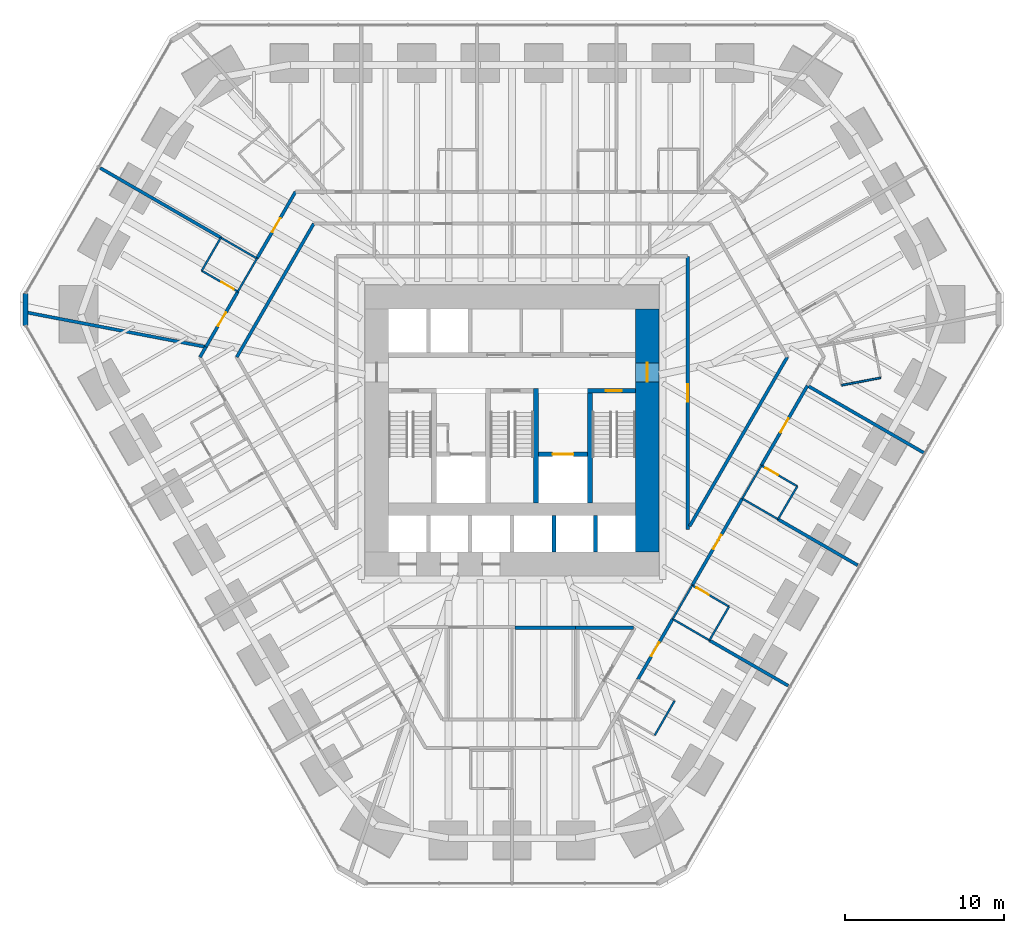
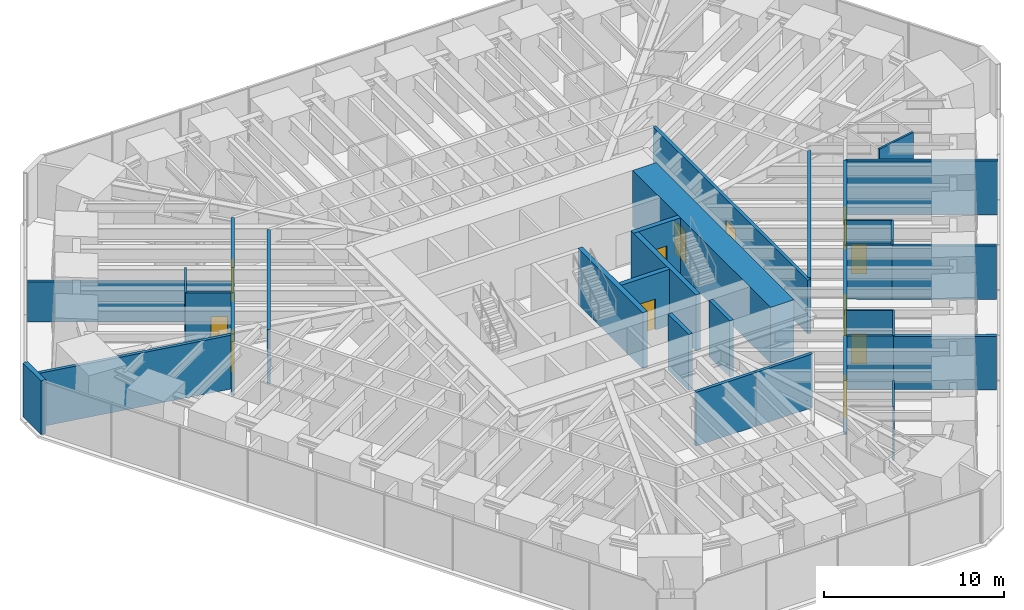
# One storey, part 13 of 17: 38 walls, 12 doors, 12 openings.
"""IFC4 building model written with IfcOpenShell, lengths in metres."""

import ifcopenshell
import ifcopenshell.guid

model = None  # the IFC model being written
_history = None  # IfcOwnerHistory: only IFC2X3 demands one
_inside = {}  # id of a spatial element -> (the spatial element, [elements in it])
_under = {}  # id of a project, library or spatial element -> (it, [spatial elements below it])
_declared = {}  # id of a project -> (the project, [libraries it declares])
_typed = {}  # id of a type object -> (the type object, [elements of that type])
_made_of = {}  # id of a material, layer set ... -> (it, [elements and type objects made of it])


def new_model(schema):
    """Start an empty IFC model of exactly this schema.

    Asked for "IFC4X3", IfcOpenShell would pick the latest addendum, in which some entities
    have other attributes; the version numbers below select the first issue.
    IFC2X3 requires an IfcOwnerHistory on every rooted entity: one is made here for all.
    """
    global model, _history
    if schema == "IFC4X3":
        model = ifcopenshell.file(schema_version=(4, 3, 0, 0))
    else:
        model = ifcopenshell.file(schema=schema)
    _inside.clear()
    _under.clear()
    _declared.clear()
    _typed.clear()
    _made_of.clear()
    _history = None
    if model.schema == "IFC2X3":
        org = make("IfcOrganization", Name="unknown")
        user = make(
            "IfcPersonAndOrganization",
            ThePerson=make("IfcPerson", FamilyName="unknown"),
            TheOrganization=org,
        )
        app = make(
            "IfcApplication",
            ApplicationDeveloper=org,
            Version="unknown",
            ApplicationFullName="unknown",
            ApplicationIdentifier="unknown",
        )
        _history = make(
            "IfcOwnerHistory",
            OwningUser=user,
            OwningApplication=app,
            ChangeAction="ADDED",
            CreationDate=0,
        )
    return model


def make(cls, **values):
    """One entity of the class cls with the attributes given. An attribute that is None is left unset."""
    return model.create_entity(
        cls, **{name: value for name, value in values.items() if value is not None}
    )


def rooted(cls, **values):
    """An entity with a GlobalId (a new one), such as an element, a storey or a relation."""
    return make(cls, GlobalId=ifcopenshell.guid.new(), OwnerHistory=_history, **values)


def si_unit(unit_type, name, prefix=None):
    """IfcSIUnit, for example si_unit("LENGTHUNIT", "METRE", prefix="MILLI")."""
    return make("IfcSIUnit", UnitType=unit_type, Prefix=prefix, Name=name)


def assignment(units):
    """IfcUnitAssignment: the units of a project."""
    return None if units is None else make("IfcUnitAssignment", Units=units)


def point(xyz):
    """IfcCartesianPoint."""
    return None if xyz is None else make("IfcCartesianPoint", Coordinates=xyz)


def direction(xyz):
    """IfcDirection."""
    return None if xyz is None else make("IfcDirection", DirectionRatios=xyz)


def frame(location, z_axis=None, x_axis=None):
    """IfcAxis2Placement3D, a coordinate frame: its origin and axes. An axis left out is left unset."""
    return make(
        "IfcAxis2Placement3D",
        Location=point(location),
        Axis=direction(z_axis),
        RefDirection=direction(x_axis),
    )


def frame_2d(location, x_axis=None):
    """IfcAxis2Placement2D, a coordinate frame in the plane: its origin and x axis."""
    return make(
        "IfcAxis2Placement2D", Location=point(location), RefDirection=direction(x_axis)
    )


def origin():
    """The frame at (0, 0, 0) with its axes left unset."""
    return frame((0.0, 0.0, 0.0))


def place(relative_to, where):
    """IfcLocalPlacement: puts the frame where relative to a parent placement (None: the world)."""
    return make(
        "IfcLocalPlacement", PlacementRelTo=relative_to, RelativePlacement=where
    )


def context(
    kind, dimensions, precision=None, world=None, true_north=None, identifier=None
):
    """IfcGeometricRepresentationContext, for example the 3D "Model" context."""
    return make(
        "IfcGeometricRepresentationContext",
        ContextIdentifier=identifier,
        ContextType=kind,
        CoordinateSpaceDimension=dimensions,
        Precision=precision,
        WorldCoordinateSystem=world,
        TrueNorth=true_north,
    )


def subcontext(parent, identifier, kind, view, scale=None):
    """IfcGeometricRepresentationSubContext, for example "Body" below "Model"."""
    return make(
        "IfcGeometricRepresentationSubContext",
        ContextIdentifier=identifier,
        ContextType=kind,
        ParentContext=parent,
        TargetScale=scale,
        TargetView=view,
    )


def project(units=None, contexts=None):
    """IfcProject with its units and contexts."""
    return rooted(
        "IfcProject",
        Name="project",
        RepresentationContexts=contexts,
        UnitsInContext=assignment(units),
    )


def spatial(cls, under=None, at=None, **own):
    """A site, building, storey or space (cls), placed at a placement, below another one or the project."""
    s = rooted(cls, ObjectPlacement=at, **own)
    if under is not None:
        _under.setdefault(under.id(), (under, []))[1].append(s)
    return s


def profile(cls, at=None, kind="AREA", **sizes):
    """A parametric profile (cls). Its sizes go by their IFC names, for example OverallWidth=200.0."""
    return make(cls, ProfileType=kind, Position=at, **sizes)


def rectangle(**sizes):
    """IfcRectangleProfileDef."""
    return profile("IfcRectangleProfileDef", **sizes)


def extrude(swept, where, along, depth):
    """IfcExtrudedAreaSolid: the profile swept, set in the frame where, extruded along a direction by depth."""
    return make(
        "IfcExtrudedAreaSolid",
        SweptArea=swept,
        Position=where,
        ExtrudedDirection=direction(along),
        Depth=depth,
    )


def shape(context_of_items, identifier, shape_type, items):
    """IfcShapeRepresentation: the items that make up one representation, for example the "Body"."""
    return make(
        "IfcShapeRepresentation",
        ContextOfItems=context_of_items,
        RepresentationIdentifier=identifier,
        RepresentationType=shape_type,
        Items=items,
    )


def material(Name=None, Category=None):
    """IfcMaterial."""
    return make("IfcMaterial", Name=Name, Category=Category)


def layer(
    of_material, thickness, ventilated=None, Name=None, Category=None, Priority=None
):
    """IfcMaterialLayer: one layer of a wall or slab, of a material (None: an air gap)."""
    return make(
        "IfcMaterialLayer",
        Material=of_material,
        LayerThickness=thickness,
        IsVentilated=ventilated,
        Name=Name,
        Category=Category,
        Priority=Priority,
    )


def layer_set(layers, Name=None):
    """IfcMaterialLayerSet."""
    return make("IfcMaterialLayerSet", MaterialLayers=layers, LayerSetName=Name)


def made_of(thing, what):
    """Note that an element or type object is made of a material, layer set ...; save() writes the relation."""
    if what is not None:
        _made_of.setdefault(what.id(), (what, []))[1].append(thing)
    return thing


def type_object(cls, material=None, **own):
    """A type object (cls), such as IfcWallType, which elements share."""
    return made_of(rooted(cls, **own), material)


def element(
    cls,
    number,
    at=None,
    inside=None,
    cuts=None,
    type_object=None,
    material=None,
    context=None,
    identifier="Body",
    shape_type=None,
    held_by="IfcProductDefinitionShape",
    body=None,
    shapes=None,
    **own,
):
    """One element of the class cls, such as IfcWall. Its Tag is "e" and its number.

    at: its placement. inside: the storey or other place that contains it. cuts: it is an
    opening in that element (IfcRelVoidsElement). A single representation is given by context,
    identifier, shape_type and body (its items); several are given by shapes. held_by: the class
    of the entity that holds the representations. save() writes the other relations.
    """
    e = rooted(cls, Tag="e%d" % number, ObjectPlacement=at, **own)
    if body is not None:
        shapes = [shape(context, identifier, shape_type, body)]
    if shapes is not None:
        e.Representation = make(held_by, Representations=shapes)
    if inside is not None:
        _inside.setdefault(inside.id(), (inside, []))[1].append(e)
    if cuts is not None:
        rooted(
            "IfcRelVoidsElement", RelatingBuildingElement=cuts, RelatedOpeningElement=e
        )
    if type_object is not None:
        _typed.setdefault(type_object.id(), (type_object, []))[1].append(e)
    return made_of(e, material)


def fill(opening, filler):
    """IfcRelFillsElement: the door or window that sits in an opening."""
    return rooted(
        "IfcRelFillsElement",
        RelatingOpeningElement=opening,
        RelatedBuildingElement=filler,
    )


def aggregate(whole, parts):
    """IfcRelAggregates: a whole, such as a stair, and the parts it consists of."""
    return rooted("IfcRelAggregates", RelatingObject=whole, RelatedObjects=parts)


def save(model, path):
    """Write the relations noted so far, then the file.

    IfcRelAggregates (storeys below a building ...), IfcRelContainedInSpatialStructure (elements
    in a storey), IfcRelDefinesByType, IfcRelAssociatesMaterial and IfcRelDeclares: one each for
    every whole, place, type object, material and project.
    """
    for whole, parts in _under.values():
        aggregate(whole, parts)
    for where, things in _inside.values():
        rooted(
            "IfcRelContainedInSpatialStructure",
            RelatedElements=things,
            RelatingStructure=where,
        )
    for kind, things in _typed.values():
        rooted("IfcRelDefinesByType", RelatedObjects=things, RelatingType=kind)
    for what, things in _made_of.values():
        rooted("IfcRelAssociatesMaterial", RelatedObjects=things, RelatingMaterial=what)
    for by, libraries in _declared.values():
        rooted("IfcRelDeclares", RelatingContext=by, RelatedDefinitions=libraries)
    model.write(path)


model = new_model("IFC4")

# Units and contexts
model_context = context("Model", 3, precision=1e-05, world=origin(), true_north=direction((0.0, 1.0)))
body_context = subcontext(model_context, "Body", "Model", "MODEL_VIEW")
ifc_project = project(units=[si_unit("LENGTHUNIT", "METRE"), si_unit("AREAUNIT", "SQUARE_METRE"), si_unit("VOLUMEUNIT", "CUBIC_METRE"), si_unit("PLANEANGLEUNIT", "RADIAN"), si_unit("MASSUNIT", "GRAM", prefix="KILO")], contexts=[model_context])

# Site, building, storey
site_placement = place(None, origin())
site = spatial("IfcSite", under=ifc_project, at=site_placement, CompositionType="ELEMENT")
building_placement = place(site_placement, origin())
building = spatial("IfcBuilding", under=site, at=building_placement, Name="Sandreach Pilgrim Tower", CompositionType="ELEMENT")
storey_placement = place(building_placement, frame((0.0, 0.0, 87.60009765625)))
storey = spatial("IfcBuildingStorey", under=building, at=storey_placement, Name="L21", CompositionType="ELEMENT", Elevation=87.60009765625)

# Wall, opening, door
ifc_material_1 = material(Name="Moisture-resistant gypsum board on steel studs", Category="steel")
ifc_layer_1 = layer(ifc_material_1, 0.1201171875)
ifc_layer_set_1 = layer_set([ifc_layer_1], Name="Bathroom partition 120")
wall_type_1 = type_object("IfcWallType", Name="Bathroom partition 120", PredefinedType="PARTITIONING", material=ifc_layer_set_1)
wall_1_placement = place(storey_placement, frame((-19.5, 8.489990234375, 0.0), z_axis=(0.0, 0.0, 1.0), x_axis=(0.866114241029, -0.499846097802, 0.0)))
wall_1 = element("IfcWall", 1, at=wall_1_placement, inside=storey, type_object=wall_type_1, Name="Bathroom partition L21-009", PredefinedType="PARTITIONING", context=body_context, shape_type="SweptSolid", body=[
    extrude(rectangle(XDim=2.620849609375, YDim=0.1201171875, at=frame_2d((1.310546875, 0.0))), origin(), (0.0, 0.0, 1.0), 3.639892578125),
])
opening_1_placement = place(wall_1_placement, frame((1.4208984375, 0.0, 0.0)))
opening_1 = element("IfcOpeningElement", 2, at=opening_1_placement, cuts=wall_1, Name="Opening D09-17B", PredefinedType="OPENING", context=body_context, shape_type="SweptSolid", body=[
    extrude(rectangle(XDim=0.89990234375, YDim=2.030029296875, at=frame_2d((0.449951171875, 1.01513671875))), frame((0.0, 0.06005859375, 0.0), z_axis=(0.0, -1.0, 0.0), x_axis=(1.0, 0.0, 0.0)), (0.0, 0.0, 1.0), 0.1201171875),
])
ifc_material_2 = material(Name="Timber door, steel frame", Category="steel")
door_type_1 = type_object("IfcDoorType", Name="Bathroom door", OperationType="SINGLE_SWING_LEFT", PredefinedType="DOOR", material=ifc_material_2)
door_1_placement = place(opening_1_placement, origin())
door_1 = element("IfcDoor", 3, at=door_1_placement, inside=storey, type_object=door_type_1, Name="Door 2117B", OperationType="SINGLE_SWING_RIGHT", OverallHeight=2.030029296875, OverallWidth=0.89990234375, PredefinedType="DOOR", context=body_context, shape_type="SweptSolid", body=[
    extrude(rectangle(XDim=0.89990234375, YDim=2.030029296875, at=frame_2d((0.449951171875, 1.01513671875))), frame((0.0, 0.02490234375, 0.0), z_axis=(0.0, -1.0, 0.0), x_axis=(1.0, 0.0, 0.0)), (0.0, 0.0, 1.0), 0.050048828125),
])
fill(opening_1, door_1)

# Walls
wall_2_placement = place(storey_placement, frame((-18.300048828125, 10.570068359375, 0.0), z_axis=(0.0, 0.0, 1.0), x_axis=(-0.499693115345, -0.866202511239, 0.0)))
element("IfcWall", 4, at=wall_2_placement, inside=storey, type_object=wall_type_1, Name="Bathroom partition L21-013", PredefinedType="PARTITIONING", context=body_context, shape_type="SweptSolid", body=[
    extrude(rectangle(XDim=2.4013671875, YDim=0.1201171875, at=frame_2d((1.20068359375, 0.0))), origin(), (0.0, 0.0, 1.0), 3.639892578125),
])
wall_3_placement = place(storey_placement, frame((-18.300048828125, 10.570068359375, 0.0), z_axis=(0.0, 0.0, 1.0), x_axis=(0.866114241029, -0.499846097802, 0.0)))
element("IfcWall", 5, at=wall_3_placement, inside=storey, type_object=wall_type_1, Name="Bathroom partition L21-014", PredefinedType="PARTITIONING", context=body_context, shape_type="SweptSolid", body=[
    extrude(rectangle(XDim=2.620849609375, YDim=0.1201171875, at=frame_2d((1.310546875, 0.0))), origin(), (0.0, 0.0, 1.0), 2.712890625),
])
wall_4_placement = place(storey_placement, frame((-17.22998046875, 7.179931640625, 0.0), z_axis=(0.0, 0.0, 1.0), x_axis=(0.500009943768, 0.866019662671, 0.0)))
element("IfcWall", 6, at=wall_4_placement, inside=storey, type_object=wall_type_1, Name="Bathroom partition L21-018", PredefinedType="PARTITIONING", context=body_context, shape_type="SweptSolid", body=[
    extrude(rectangle(XDim=2.4013671875, YDim=0.1201171875, at=frame_2d((1.20068359375, 0.0))), origin(), (0.0, 0.0, 1.0), 3.639892578125),
])
wall_5_placement = place(storey_placement, frame((8.969970703125, -20.7099609375, 0.0), z_axis=(0.0, 0.0, 1.0), x_axis=(0.499159685399, 0.866510016372, 0.0)))
element("IfcWall", 7, at=wall_5_placement, inside=storey, type_object=wall_type_1, Name="Bathroom partition L21-105", PredefinedType="PARTITIONING", context=body_context, shape_type="SweptSolid", body=[
    extrude(rectangle(XDim=2.504150390625, YDim=0.1201171875, at=frame_2d((1.251953125, 0.0))), origin(), (0.0, 0.0, 1.0), 3.639892578125),
])
wall_6_placement = place(storey_placement, frame((10.10009765625, -13.39990234375, 0.0), z_axis=(0.0, 0.0, 1.0), x_axis=(0.501856726365, 0.86495076519, 0.0)))
element("IfcWall", 8, at=wall_6_placement, inside=storey, type_object=wall_type_1, Name="Bathroom partition L21-108", PredefinedType="PARTITIONING", context=body_context, shape_type="SweptSolid", body=[
    extrude(rectangle(XDim=2.450927734375, YDim=0.1201171875, at=frame_2d((1.2255859375, 0.0))), origin(), (0.0, 0.0, 1.0), 3.639892578125),
])
wall_7_placement = place(storey_placement, frame((10.10009765625, -13.39990234375, 0.0), z_axis=(0.0, 0.0, 1.0), x_axis=(0.864966903181, -0.501828911485, 0.0)))
element("IfcWall", 9, at=wall_7_placement, inside=storey, type_object=wall_type_1, Name="Bathroom partition L21-109", PredefinedType="PARTITIONING", context=body_context, shape_type="SweptSolid", body=[
    extrude(rectangle(XDim=2.67041015625, YDim=0.1201171875, at=frame_2d((1.335205078125, 0.0))), origin(), (0.0, 0.0, 1.0), 3.639892578125),
])
wall_8_placement = place(storey_placement, frame((12.409912109375, -14.739990234375, 0.0), z_axis=(0.0, 0.0, 1.0), x_axis=(0.501813488763, 0.864975850817, 0.0)))
element("IfcWall", 10, at=wall_8_placement, inside=storey, type_object=wall_type_1, Name="Bathroom partition L21-118", PredefinedType="PARTITIONING", context=body_context, shape_type="SweptSolid", body=[
    extrude(rectangle(XDim=2.451171875, YDim=0.1201171875, at=frame_2d((1.2255859375, 0.0))), origin(), (0.0, 0.0, 1.0), 3.639892578125),
])

# Wall, opening, door
wall_9_placement = place(storey_placement, frame((13.639892578125, -12.6201171875, 0.0), z_axis=(0.0, 0.0, 1.0), x_axis=(-0.864966903181, 0.501828911485, 0.0)))
wall_9 = element("IfcWall", 11, at=wall_9_placement, inside=storey, type_object=wall_type_1, Name="Bathroom partition L21-123", PredefinedType="PARTITIONING", context=body_context, shape_type="SweptSolid", body=[
    extrude(rectangle(XDim=2.67041015625, YDim=0.1201171875, at=frame_2d((1.335205078125, 0.0))), origin(), (0.0, 0.0, 1.0), 3.639892578125),
])
opening_2_placement = place(wall_9_placement, frame((1.470458984375, 0.0, 0.0)))
opening_2 = element("IfcOpeningElement", 12, at=opening_2_placement, cuts=wall_9, Name="Opening D09-09B", PredefinedType="OPENING", context=body_context, shape_type="SweptSolid", body=[
    extrude(rectangle(XDim=0.89990234375, YDim=2.030029296875, at=frame_2d((0.449951171875, 1.01513671875))), frame((0.0, 0.06005859375, 0.0), z_axis=(0.0, -1.0, 0.0), x_axis=(1.0, 0.0, 0.0)), (0.0, 0.0, 1.0), 0.1201171875),
])
door_2_placement = place(opening_2_placement, origin())
door_2 = element("IfcDoor", 13, at=door_2_placement, inside=storey, type_object=door_type_1, Name="Door 2109B", OperationType="SINGLE_SWING_RIGHT", OverallHeight=2.030029296875, OverallWidth=0.89990234375, PredefinedType="DOOR", context=body_context, shape_type="SweptSolid", body=[
    extrude(rectangle(XDim=0.89990234375, YDim=2.030029296875, at=frame_2d((0.449951171875, 1.01513671875))), frame((0.0, 0.02490234375, 0.0), z_axis=(0.0, -1.0, 0.0), x_axis=(1.0, 0.0, 0.0)), (0.0, 0.0, 1.0), 0.050048828125),
])
fill(opening_2, door_2)

# Walls
wall_10_placement = place(storey_placement, frame((14.469970703125, -5.830078125, 0.0), z_axis=(0.0, 0.0, 1.0), x_axis=(0.865856933682, -0.500291685314, 0.0)))
element("IfcWall", 14, at=wall_10_placement, inside=storey, type_object=wall_type_1, Name="Bathroom partition L21-126", PredefinedType="PARTITIONING", context=body_context, shape_type="SweptSolid", body=[
    extrude(rectangle(XDim=2.5986328125, YDim=0.1201171875, at=frame_2d((1.29931640625, 0.0))), origin(), (0.0, 0.0, 1.0), 3.639892578125),
])
wall_11_placement = place(storey_placement, frame((15.679931640625, -3.75, 0.0), z_axis=(0.0, 0.0, 1.0), x_axis=(-0.502810888564, -0.864396442809, 0.0)))
element("IfcWall", 15, at=wall_11_placement, inside=storey, type_object=wall_type_1, Name="Bathroom partition L21-129", PredefinedType="PARTITIONING", context=body_context, shape_type="SweptSolid", body=[
    extrude(rectangle(XDim=2.406494140625, YDim=0.1201171875, at=frame_2d((1.203125, 0.0))), origin(), (0.0, 0.0, 1.0), 3.639892578125),
])
wall_12_placement = place(storey_placement, frame((16.719970703125, -7.1298828125, 0.0), z_axis=(0.0, 0.0, 1.0), x_axis=(0.504668565454, 0.863313175529, 0.0)))
element("IfcWall", 16, at=wall_12_placement, inside=storey, type_object=wall_type_1, Name="Bathroom partition L21-132", PredefinedType="PARTITIONING", context=body_context, shape_type="SweptSolid", body=[
    extrude(rectangle(XDim=2.3974609375, YDim=0.1201171875, at=frame_2d((1.19873046875, 0.0))), origin(), (0.0, 0.0, 1.0), 3.639892578125),
])

# Wall, opening, door
wall_13_placement = place(storey_placement, frame((17.929931640625, -5.06005859375, 0.0), z_axis=(0.0, 0.0, 1.0), x_axis=(-0.864186736834, 0.503171227198, 0.0)))
wall_13 = element("IfcWall", 17, at=wall_13_placement, inside=storey, type_object=wall_type_1, Name="Bathroom partition L21-136", PredefinedType="PARTITIONING", context=body_context, shape_type="SweptSolid", body=[
    extrude(rectangle(XDim=2.603515625, YDim=0.1201171875, at=frame_2d((1.3017578125, 0.0))), origin(), (0.0, 0.0, 1.0), 3.639892578125),
])
opening_3_placement = place(wall_13_placement, frame((1.403564453125, 0.0, 0.0)))
opening_3 = element("IfcOpeningElement", 18, at=opening_3_placement, cuts=wall_13, Name="Opening D09-08B", PredefinedType="OPENING", context=body_context, shape_type="SweptSolid", body=[
    extrude(rectangle(XDim=0.89990234375, YDim=2.030029296875, at=frame_2d((0.449951171875, 1.01513671875))), frame((0.0, 0.06005859375, 0.0), z_axis=(0.0, -1.0, 0.0), x_axis=(1.0, 0.0, 0.0)), (0.0, 0.0, 1.0), 0.1201171875),
])
door_3_placement = place(opening_3_placement, origin())
door_3 = element("IfcDoor", 19, at=door_3_placement, inside=storey, type_object=door_type_1, Name="Door 2108B", OperationType="SINGLE_SWING_RIGHT", OverallHeight=2.030029296875, OverallWidth=0.89990234375, PredefinedType="DOOR", context=body_context, shape_type="SweptSolid", body=[
    extrude(rectangle(XDim=0.89990234375, YDim=2.030029296875, at=frame_2d((0.449951171875, 1.01513671875))), frame((0.0, 0.02490234375, 0.0), z_axis=(0.0, -1.0, 0.0), x_axis=(1.0, 0.0, 0.0)), (0.0, 0.0, 1.0), 0.050048828125),
])
fill(opening_3, door_3)

# Walls
wall_14_placement = place(storey_placement, frame((20.719970703125, 1.2900390625, 0.0), z_axis=(0.0, 0.0, 1.0), x_axis=(0.9820935986, 0.188393639991, 0.0)))
element("IfcWall", 20, at=wall_14_placement, inside=storey, type_object=wall_type_1, Name="Bathroom partition L21-145", PredefinedType="PARTITIONING", context=body_context, shape_type="SweptSolid", body=[
    extrude(rectangle(XDim=2.49462890625, YDim=0.1201171875, at=frame_2d((1.247314453125, 0.0))), origin(), (0.0, 0.0, 1.0), 3.639892578125),
])
ifc_material_3 = material(Name="Concrete 10000 psi", Category="concrete")
ifc_layer_2 = layer(ifc_material_3, 0.300048828125)
ifc_layer_set_2 = layer_set([ifc_layer_2], Name="Core inner wall 300")
wall_type_2 = type_object("IfcWallType", Name="Core inner wall 300", PredefinedType="SHEAR", material=ifc_layer_set_2)
for number, where, z_axis, x_axis, name in (
    (21, (1.5, -6.10009765625, 0.0), (0.0, 0.0, 1.0), (0.0, 1.0, 0.0), "Core wall I2 L21"),
    (22, (4.89990234375, -6.10009765625, 0.0), (0.0, 0.0, 1.0), (0.0, 1.0, 0.0), "Core wall I3 L21"),
):
    element("IfcWall", number, at=place(storey_placement, frame(where, z_axis=z_axis, x_axis=x_axis)), inside=storey, type_object=wall_type_2, Name=name, PredefinedType="SHEAR", context=body_context, shape_type="SweptSolid", body=[
        extrude(rectangle(XDim=7.2001953125, YDim=0.300048828125, at=frame_2d((3.60009765625, 0.0))), origin(), (0.0, 0.0, 1.0), 3.7998046875),
    ])

# Wall, opening, door
wall_15_placement = place(storey_placement, frame((4.75, 0.949951171875, 0.0), z_axis=(0.0, 0.0, 1.0), x_axis=(1.0, 0.0, 0.0)))
wall_15 = element("IfcWall", 23, at=wall_15_placement, inside=storey, type_object=wall_type_2, Name="Core wall SN2 L21", PredefinedType="SHEAR", context=body_context, shape_type="SweptSolid", body=[
    extrude(rectangle(XDim=3.0, YDim=0.300048828125, at=frame_2d((1.5, 0.0))), origin(), (0.0, 0.0, 1.0), 3.7998046875),
])
opening_4_placement = place(wall_15_placement, frame((1.14990234375, 0.0, 0.0)))
opening_4 = element("IfcOpeningElement", 24, at=opening_4_placement, cuts=wall_15, Name="Opening D10S-ST2", PredefinedType="OPENING", context=body_context, shape_type="SweptSolid", body=[
    extrude(rectangle(XDim=1.0, YDim=2.199951171875, at=frame_2d((0.5, 1.10009765625))), frame((0.0, 0.14990234375, 0.0), z_axis=(0.0, -1.0, 0.0), x_axis=(1.0, 0.0, 0.0)), (0.0, 0.0, 1.0), 0.300048828125),
])
ifc_material_4 = material(Name="Steel door and frame", Category="steel")
door_type_2 = type_object("IfcDoorType", Name="Stair door", OperationType="SINGLE_SWING_LEFT", PredefinedType="DOOR", material=ifc_material_4)
door_4_placement = place(opening_4_placement, origin())
door_4 = element("IfcDoor", 25, at=door_4_placement, inside=storey, type_object=door_type_2, Name="Stair door ST2 L21", OperationType="SINGLE_SWING_RIGHT", OverallHeight=2.199951171875, OverallWidth=1.0, PredefinedType="DOOR", context=body_context, shape_type="SweptSolid", body=[
    extrude(rectangle(XDim=1.0, YDim=2.199951171875, at=frame_2d((0.5, 1.10009765625))), frame((0.0, 0.02490234375, 0.0), z_axis=(0.0, -1.0, 0.0), x_axis=(1.0, 0.0, 0.0)), (0.0, 0.0, 1.0), 0.050048828125),
])
fill(opening_4, door_4)

wall_16_placement = place(storey_placement, frame((1.64990234375, -3.050048828125, 0.0), z_axis=(0.0, 0.0, 1.0), x_axis=(1.0, 0.0, 0.0)))
wall_16 = element("IfcWall", 26, at=wall_16_placement, inside=storey, type_object=wall_type_2, Name="Core wall FL2 L21", PredefinedType="SHEAR", context=body_context, shape_type="SweptSolid", body=[
    extrude(rectangle(XDim=3.10009765625, YDim=0.300048828125, at=frame_2d((1.550048828125, 0.0))), origin(), (0.0, 0.0, 1.0), 3.7998046875),
])
opening_5_placement = place(wall_16_placement, frame((0.89990234375, 0.0, 0.0)))
opening_5 = element("IfcOpeningElement", 27, at=opening_5_placement, cuts=wall_16, Name="Opening LD13", PredefinedType="OPENING", context=body_context, shape_type="SweptSolid", body=[
    extrude(rectangle(XDim=1.300048828125, YDim=2.10009765625, at=frame_2d((0.64990234375, 1.050048828125))), frame((0.0, 0.14990234375, 0.0), z_axis=(0.0, -1.0, 0.0), x_axis=(1.0, 0.0, 0.0)), (0.0, 0.0, 1.0), 0.300048828125),
])
ifc_material_5 = material(Name="Steel door and frame", Category="steel")
door_type_3 = type_object("IfcDoorType", Name="Fire service lift landing door", OperationType="DOUBLE_DOOR_SLIDING", PredefinedType="DOOR", material=ifc_material_5)
door_5_placement = place(opening_5_placement, origin())
door_5 = element("IfcDoor", 28, at=door_5_placement, inside=storey, type_object=door_type_3, Name="Lift landing door FS2 L21", OperationType="DOUBLE_DOOR_SLIDING", OverallHeight=2.10009765625, OverallWidth=1.300048828125, PredefinedType="DOOR", context=body_context, shape_type="SweptSolid", body=[
    extrude(rectangle(XDim=1.300048828125, YDim=2.10009765625, at=frame_2d((0.64990234375, 1.050048828125))), frame((0.0, 0.02490234375, 0.0), z_axis=(0.0, -1.0, 0.0), x_axis=(1.0, 0.0, 0.0)), (0.0, 0.0, 1.0), 0.050048828125),
])
fill(opening_5, door_5)

ifc_material_6 = material(Name="Concrete 10000 psi", Category="concrete")
ifc_layer_3 = layer(ifc_material_6, 1.5)
ifc_layer_set_3 = layer_set([ifc_layer_3], Name="Core wall 1500")
wall_type_3 = type_object("IfcWallType", Name="Core wall 1500", PredefinedType="SHEAR", material=ifc_layer_set_3)
wall_17_placement = place(storey_placement, frame((8.5, -9.199951171875, 0.0), z_axis=(0.0, 0.0, 1.0), x_axis=(0.0, 1.0, 0.0)))
wall_17 = element("IfcWall", 29, at=wall_17_placement, inside=storey, type_object=wall_type_3, Name="Core wall E L21", PredefinedType="SHEAR", context=body_context, shape_type="SweptSolid", body=[
    extrude(rectangle(XDim=15.300048828125, YDim=1.5, at=frame_2d((7.64990234375, 0.0))), origin(), (0.0, 0.0, 1.0), 3.7998046875),
])
opening_6_placement = place(wall_17_placement, frame((10.699951171875, 0.0, 0.0)))
opening_6 = element("IfcOpeningElement", 30, at=opening_6_placement, cuts=wall_17, Name="Opening D12F-E", PredefinedType="OPENING", context=body_context, shape_type="SweptSolid", body=[
    extrude(rectangle(XDim=1.199951171875, YDim=2.199951171875, at=frame_2d((0.60009765625, 1.10009765625))), frame((0.0, 0.75, 0.0), z_axis=(0.0, -1.0, 0.0), x_axis=(1.0, 0.0, 0.0)), (0.0, 0.0, 1.0), 1.5),
])
ifc_material_7 = material(Name="Steel door and frame", Category="steel")
door_type_4 = type_object("IfcDoorType", Name="Fire lobby door", OperationType="SINGLE_SWING_LEFT", PredefinedType="DOOR", material=ifc_material_7)
door_6_placement = place(opening_6_placement, origin())
door_6 = element("IfcDoor", 31, at=door_6_placement, inside=storey, type_object=door_type_4, Name="Fire service lobby door E L21", OperationType="SINGLE_SWING_RIGHT", OverallHeight=2.199951171875, OverallWidth=1.199951171875, PredefinedType="DOOR", context=body_context, shape_type="SweptSolid", body=[
    extrude(rectangle(XDim=1.199951171875, YDim=2.199951171875, at=frame_2d((0.60009765625, 1.10009765625))), frame((0.0, 0.02490234375, 0.0), z_axis=(0.0, -1.0, 0.0), x_axis=(1.0, 0.0, 0.0)), (0.0, 0.0, 1.0), 0.050048828125),
])
fill(opening_6, door_6)

# Wall
ifc_material_8 = material(Name="Gypsum board on steel studs, two layers each side", Category="steel")
ifc_layer_4 = layer(ifc_material_8, 0.199951171875)
ifc_layer_set_4 = layer_set([ifc_layer_4], Name="Corridor wall 200")
wall_type_4 = type_object("IfcWallType", Name="Corridor wall 200", PredefinedType="PARTITIONING", material=ifc_layer_set_4)
wall_18_placement = place(storey_placement, frame((-19.610107421875, 3.06005859375, 0.0), z_axis=(0.0, 0.0, 1.0), x_axis=(0.50068472101, 0.865629718844, 0.0)))
element("IfcWall", 32, at=wall_18_placement, inside=storey, type_object=wall_type_4, Name="Corridor wall L21-006", PredefinedType="PARTITIONING", context=body_context, shape_type="SweptSolid", body=[
    extrude(rectangle(XDim=0.7392578125, YDim=0.199951171875, at=frame_2d((0.36962890625, 0.0))), origin(), (0.0, 0.0, 1.0), 3.639892578125),
])

# Wall, opening, door
wall_19_placement = place(storey_placement, frame((-19.239990234375, 3.699951171875, 0.0), z_axis=(0.0, 0.0, 1.0), x_axis=(0.500157149565, 0.865934654428, 0.0)))
wall_19 = element("IfcWall", 33, at=wall_19_placement, inside=storey, type_object=wall_type_4, Name="Corridor wall L21-010", PredefinedType="PARTITIONING", context=body_context, shape_type="SweptSolid", body=[
    extrude(rectangle(XDim=4.018798828125, YDim=0.199951171875, at=frame_2d((2.00927734375, 0.0))), origin(), (0.0, 0.0, 1.0), 3.639892578125),
])
opening_7_placement = place(wall_19_placement, frame((1.509521484375, 0.0, 0.0)))
opening_7 = element("IfcOpeningElement", 34, at=opening_7_placement, cuts=wall_19, Name="Opening D10-17", PredefinedType="OPENING", context=body_context, shape_type="SweptSolid", body=[
    extrude(rectangle(XDim=1.0, YDim=2.1298828125, at=frame_2d((0.5, 1.06494140625))), frame((0.0, 0.10009765625, 0.0), z_axis=(0.0, -1.0, 0.0), x_axis=(1.0, 0.0, 0.0)), (0.0, 0.0, 1.0), 0.199951171875),
])
ifc_material_9 = material(Name="Steel door and frame", Category="steel")
door_type_5 = type_object("IfcDoorType", Name="Guest room entry door", OperationType="SINGLE_SWING_LEFT", PredefinedType="DOOR", material=ifc_material_9)
door_7_placement = place(opening_7_placement, origin())
door_7 = element("IfcDoor", 35, at=door_7_placement, inside=storey, type_object=door_type_5, Name="Door 2117", OperationType="SINGLE_SWING_LEFT", OverallHeight=2.1298828125, OverallWidth=1.0, PredefinedType="DOOR", context=body_context, shape_type="SweptSolid", body=[
    extrude(rectangle(XDim=1.0, YDim=2.1298828125, at=frame_2d((0.5, 1.06494140625))), frame((0.0, 0.02490234375, 0.0), z_axis=(0.0, -1.0, 0.0), x_axis=(1.0, 0.0, 0.0)), (0.0, 0.0, 1.0), 0.050048828125),
])
fill(opening_7, door_7)

# Wall
wall_20_placement = place(storey_placement, frame((-17.300048828125, 3.06005859375, 0.0), z_axis=(0.0, 0.0, 1.0), x_axis=(0.499704269421, 0.866196076603, 0.0)))
element("IfcWall", 36, at=wall_20_placement, inside=storey, type_object=wall_type_4, Name="Corridor wall L21-017", PredefinedType="PARTITIONING", context=body_context, shape_type="SweptSolid", body=[
    extrude(rectangle(XDim=9.685791015625, YDim=0.199951171875, at=frame_2d((4.8427734375, 0.0))), origin(), (0.0, 0.0, 1.0), 3.639892578125),
])

# Wall, opening, door
wall_21_placement = place(storey_placement, frame((-16.029296875, 9.259521484375, 0.0), z_axis=(0.0, 0.0, 1.0), x_axis=(0.499975779801, 0.866039386871, 0.0)))
wall_21 = element("IfcWall", 37, at=wall_21_placement, inside=storey, type_object=wall_type_4, Name="Corridor wall L21-023", PredefinedType="PARTITIONING", context=body_context, shape_type="SweptSolid", body=[
    extrude(rectangle(XDim=4.838623046875, YDim=0.199951171875, at=frame_2d((2.41943359375, 0.0))), origin(), (0.0, 0.0, 1.0), 3.639892578125),
])
opening_8_placement = place(wall_21_placement, frame((1.919189453125, 0.0, 0.0)))
opening_8 = element("IfcOpeningElement", 38, at=opening_8_placement, cuts=wall_21, Name="Opening D10-18", PredefinedType="OPENING", context=body_context, shape_type="SweptSolid", body=[
    extrude(rectangle(XDim=1.0, YDim=2.1298828125, at=frame_2d((0.5, 1.06494140625))), frame((0.0, 0.10009765625, 0.0), z_axis=(0.0, -1.0, 0.0), x_axis=(1.0, 0.0, 0.0)), (0.0, 0.0, 1.0), 0.199951171875),
])
door_8_placement = place(opening_8_placement, origin())
door_8 = element("IfcDoor", 39, at=door_8_placement, inside=storey, type_object=door_type_5, Name="Door 2118", OperationType="SINGLE_SWING_LEFT", OverallHeight=2.1298828125, OverallWidth=1.0, PredefinedType="DOOR", context=body_context, shape_type="SweptSolid", body=[
    extrude(rectangle(XDim=1.0, YDim=2.1298828125, at=frame_2d((0.5, 1.06494140625))), frame((0.0, 0.02490234375, 0.0), z_axis=(0.0, -1.0, 0.0), x_axis=(1.0, 0.0, 0.0)), (0.0, 0.0, 1.0), 0.050048828125),
])
fill(opening_8, door_8)

# Walls
wall_22_placement = place(storey_placement, frame((0.179931640625, -13.949951171875, 0.0), z_axis=(0.0, 0.0, 1.0), x_axis=(1.0, 0.0, 0.0)))
element("IfcWall", 40, at=wall_22_placement, inside=storey, type_object=wall_type_4, Name="Corridor wall L21-079", PredefinedType="PARTITIONING", context=body_context, shape_type="SweptSolid", body=[
    extrude(rectangle(XDim=3.820068359375, YDim=0.199951171875, at=frame_2d((1.91015625, 0.0))), origin(), (0.0, 0.0, 1.0), 3.639892578125),
])
wall_23_placement = place(storey_placement, frame((4.0, -13.949951171875, 0.0), z_axis=(0.0, 0.0, 1.0), x_axis=(1.0, 0.0, 0.0)))
element("IfcWall", 41, at=wall_23_placement, inside=storey, type_object=wall_type_4, Name="Corridor wall L21-083", PredefinedType="PARTITIONING", context=body_context, shape_type="SweptSolid", body=[
    extrude(rectangle(XDim=3.635009765625, YDim=0.199951171875, at=frame_2d((1.8173828125, 0.0))), origin(), (0.0, 0.0, 1.0), 3.639892578125),
])

# Wall, opening, door
wall_24_placement = place(storey_placement, frame((7.9091796875, -17.199462890625, 0.0), z_axis=(0.0, 0.0, 1.0), x_axis=(0.499528080516, 0.866297695239, 0.0)))
wall_24 = element("IfcWall", 42, at=wall_24_placement, inside=storey, type_object=wall_type_4, Name="Corridor wall L21-100", PredefinedType="PARTITIONING", context=body_context, shape_type="SweptSolid", body=[
    extrude(rectangle(XDim=4.385986328125, YDim=0.199951171875, at=frame_2d((2.19287109375, 0.0))), origin(), (0.0, 0.0, 1.0), 3.639892578125),
])
opening_9_placement = place(wall_24_placement, frame((1.69287109375, 0.0, 0.0)))
opening_9 = element("IfcOpeningElement", 43, at=opening_9_placement, cuts=wall_24, Name="Opening D10-10", PredefinedType="OPENING", context=body_context, shape_type="SweptSolid", body=[
    extrude(rectangle(XDim=1.0, YDim=2.1298828125, at=frame_2d((0.5, 1.06494140625))), frame((0.0, 0.10009765625, 0.0), z_axis=(0.0, -1.0, 0.0), x_axis=(1.0, 0.0, 0.0)), (0.0, 0.0, 1.0), 0.199951171875),
])
door_9_placement = place(opening_9_placement, origin())
door_9 = element("IfcDoor", 44, at=door_9_placement, inside=storey, type_object=door_type_5, Name="Door 2110", OperationType="SINGLE_SWING_LEFT", OverallHeight=2.1298828125, OverallWidth=1.0, PredefinedType="DOOR", context=body_context, shape_type="SweptSolid", body=[
    extrude(rectangle(XDim=1.0, YDim=2.1298828125, at=frame_2d((0.5, 1.06494140625))), frame((0.0, 0.02490234375, 0.0), z_axis=(0.0, -1.0, 0.0), x_axis=(1.0, 0.0, 0.0)), (0.0, 0.0, 1.0), 0.050048828125),
])
fill(opening_9, door_9)

wall_25_placement = place(storey_placement, frame((11.050048828125, -7.760009765625, 0.0), z_axis=(0.0, 0.0, 1.0), x_axis=(0.0, 1.0, 0.0)))
wall_25 = element("IfcWall", 45, at=wall_25_placement, inside=storey, type_object=wall_type_4, Name="Corridor wall L21-112", PredefinedType="PARTITIONING", context=body_context, shape_type="SweptSolid", body=[
    extrude(rectangle(XDim=17.159912109375, YDim=0.199951171875, at=frame_2d((8.580078125, 0.0))), origin(), (0.0, 0.0, 1.0), 3.639892578125),
])
opening_10_placement = place(wall_25_placement, frame((8.030029296875, 0.0, 0.0)))
opening_10 = element("IfcOpeningElement", 46, at=opening_10_placement, cuts=wall_25, Name="Opening D11H-M04", PredefinedType="OPENING", context=body_context, shape_type="SweptSolid", body=[
    extrude(rectangle(XDim=1.10009765625, YDim=2.199951171875, at=frame_2d((0.550048828125, 1.10009765625))), frame((0.0, 0.10009765625, 0.0), z_axis=(0.0, -1.0, 0.0), x_axis=(1.0, 0.0, 0.0)), (0.0, 0.0, 1.0), 0.199951171875),
])
ifc_material_10 = material(Name="Steel door and frame", Category="steel")
door_type_6 = type_object("IfcDoorType", Name="Back of house door", OperationType="SINGLE_SWING_LEFT", PredefinedType="DOOR", material=ifc_material_10)
door_10_placement = place(opening_10_placement, origin())
door_10 = element("IfcDoor", 47, at=door_10_placement, inside=storey, type_object=door_type_6, Name="Door 21M04", OperationType="SINGLE_SWING_LEFT", OverallHeight=2.199951171875, OverallWidth=1.10009765625, PredefinedType="DOOR", context=body_context, shape_type="SweptSolid", body=[
    extrude(rectangle(XDim=1.10009765625, YDim=2.199951171875, at=frame_2d((0.550048828125, 1.10009765625))), frame((0.0, 0.02490234375, 0.0), z_axis=(0.0, -1.0, 0.0), x_axis=(1.0, 0.0, 0.0)), (0.0, 0.0, 1.0), 0.050048828125),
])
fill(opening_10, door_10)

wall_26_placement = place(storey_placement, frame((11.32861328125, -11.279296875, 0.0), z_axis=(0.0, 0.0, 1.0), x_axis=(0.499433445148, 0.86635225738, 0.0)))
wall_26 = element("IfcWall", 48, at=wall_26_placement, inside=storey, type_object=wall_type_4, Name="Corridor wall L21-113", PredefinedType="PARTITIONING", context=body_context, shape_type="SweptSolid", body=[
    extrude(rectangle(XDim=6.289794921875, YDim=0.199951171875, at=frame_2d((3.14501953125, 0.0))), origin(), (0.0, 0.0, 1.0), 3.639892578125),
])
opening_11_placement = place(wall_26_placement, frame((2.64501953125, 0.0, 0.0)))
opening_11 = element("IfcOpeningElement", 49, at=opening_11_placement, cuts=wall_26, Name="Opening D10-09", PredefinedType="OPENING", context=body_context, shape_type="SweptSolid", body=[
    extrude(rectangle(XDim=1.0, YDim=2.1298828125, at=frame_2d((0.5, 1.06494140625))), frame((0.0, 0.10009765625, 0.0), z_axis=(0.0, -1.0, 0.0), x_axis=(1.0, 0.0, 0.0)), (0.0, 0.0, 1.0), 0.199951171875),
])
door_11_placement = place(opening_11_placement, origin())
door_11 = element("IfcDoor", 50, at=door_11_placement, inside=storey, type_object=door_type_5, Name="Door 2109", OperationType="SINGLE_SWING_LEFT", OverallHeight=2.1298828125, OverallWidth=1.0, PredefinedType="DOOR", context=body_context, shape_type="SweptSolid", body=[
    extrude(rectangle(XDim=1.0, YDim=2.1298828125, at=frame_2d((0.5, 1.06494140625))), frame((0.0, 0.02490234375, 0.0), z_axis=(0.0, -1.0, 0.0), x_axis=(1.0, 0.0, 0.0)), (0.0, 0.0, 1.0), 0.050048828125),
])
fill(opening_11, door_11)

wall_27_placement = place(storey_placement, frame((15.669921875, -3.75, 0.0), z_axis=(0.0, 0.0, 1.0), x_axis=(0.500237606619, 0.865888178071, 0.0)))
wall_27 = element("IfcWall", 51, at=wall_27_placement, inside=storey, type_object=wall_type_4, Name="Corridor wall L21-128", PredefinedType="PARTITIONING", context=body_context, shape_type="SweptSolid", body=[
    extrude(rectangle(XDim=5.797607421875, YDim=0.199951171875, at=frame_2d((2.89892578125, 0.0))), origin(), (0.0, 0.0, 1.0), 3.639892578125),
])
opening_12_placement = place(wall_27_placement, frame((2.398681640625, 0.0, 0.0)))
opening_12 = element("IfcOpeningElement", 52, at=opening_12_placement, cuts=wall_27, Name="Opening D10-08", PredefinedType="OPENING", context=body_context, shape_type="SweptSolid", body=[
    extrude(rectangle(XDim=1.0, YDim=2.1298828125, at=frame_2d((0.5, 1.06494140625))), frame((0.0, 0.10009765625, 0.0), z_axis=(0.0, -1.0, 0.0), x_axis=(1.0, 0.0, 0.0)), (0.0, 0.0, 1.0), 0.199951171875),
])
door_12_placement = place(opening_12_placement, origin())
door_12 = element("IfcDoor", 53, at=door_12_placement, inside=storey, type_object=door_type_5, Name="Door 2108", OperationType="SINGLE_SWING_LEFT", OverallHeight=2.1298828125, OverallWidth=1.0, PredefinedType="DOOR", context=body_context, shape_type="SweptSolid", body=[
    extrude(rectangle(XDim=1.0, YDim=2.1298828125, at=frame_2d((0.5, 1.06494140625))), frame((0.0, 0.02490234375, 0.0), z_axis=(0.0, -1.0, 0.0), x_axis=(1.0, 0.0, 0.0)), (0.0, 0.0, 1.0), 0.050048828125),
])
fill(opening_12, door_12)

# Walls
wall_28_placement = place(storey_placement, frame((17.300048828125, 3.06005859375, 0.0), z_axis=(0.0, 0.0, 1.0), x_axis=(-0.500175206663, -0.865924224537, 0.0)))
element("IfcWall", 54, at=wall_28_placement, inside=storey, type_object=wall_type_4, Name="Corridor wall L21-134", PredefinedType="PARTITIONING", context=body_context, shape_type="SweptSolid", body=[
    extrude(rectangle(XDim=12.275390625, YDim=0.199951171875, at=frame_2d((6.1376953125, 0.0))), origin(), (0.0, 0.0, 1.0), 3.639892578125),
])
ifc_material_11 = material(Name="Double steel stud acoustic wall, gypsum board", Category="steel")
ifc_layer_5 = layer(ifc_material_11, 0.199951171875)
ifc_layer_set_5 = layer_set([ifc_layer_5], Name="Party wall 200")
wall_type_5 = type_object("IfcWallType", Name="Party wall 200", PredefinedType="PARTITIONING", material=ifc_layer_set_5)
wall_29_placement = place(storey_placement, frame((-30.590576171875, 5.88427734375, 0.0), z_axis=(0.0, 0.0, 1.0), x_axis=(0.981983289605, -0.188967772219, 0.0)))
element("IfcWall", 55, at=wall_29_placement, inside=storey, type_object=wall_type_5, Name="Party wall L21-001", PredefinedType="PARTITIONING", context=body_context, shape_type="SweptSolid", body=[
    extrude(rectangle(XDim=11.5087890625, YDim=0.199951171875, at=frame_2d((5.75439453125, 0.0))), origin(), (0.0, 0.0, 1.0), 3.639892578125),
])
wall_30_placement = place(storey_placement, frame((-25.885986328125, 14.949951171875, 0.0), z_axis=(0.0, 0.0, 1.0), x_axis=(0.866018495177, -0.500011965869, 0.0)))
element("IfcWall", 56, at=wall_30_placement, inside=storey, type_object=wall_type_5, Name="Party wall L21-002", PredefinedType="PARTITIONING", context=body_context, shape_type="SweptSolid", body=[
    extrude(rectangle(XDim=8.759521484375, YDim=0.199951171875, at=frame_2d((4.3798828125, 0.0))), origin(), (0.0, 0.0, 1.0), 2.712890625),
])
wall_31_placement = place(storey_placement, frame((16.719970703125, -7.1298828125, 0.0), z_axis=(0.0, 0.0, 1.0), x_axis=(0.866035778077, -0.499982030767, 0.0)))
element("IfcWall", 57, at=wall_31_placement, inside=storey, type_object=wall_type_5, Name="Party wall L21-133", PredefinedType="PARTITIONING", context=body_context, shape_type="SweptSolid", body=[
    extrude(rectangle(XDim=5.780517578125, YDim=0.199951171875, at=frame_2d((2.89013671875, 0.0))), origin(), (0.0, 0.0, 1.0), 3.639892578125),
])
wall_32_placement = place(storey_placement, frame((17.35595703125, -17.590087890625, 0.0), z_axis=(0.0, 0.0, 1.0), x_axis=(-0.866442508333, 0.499276856818, 0.0)))
element("IfcWall", 58, at=wall_32_placement, inside=storey, type_object=wall_type_5, Name="Party wall L21-135", PredefinedType="PARTITIONING", context=body_context, shape_type="SweptSolid", body=[
    extrude(rectangle(XDim=5.70849609375, YDim=0.199951171875, at=frame_2d((2.854248046875, 0.0))), origin(), (0.0, 0.0, 1.0), 3.639892578125),
])
wall_33_placement = place(storey_placement, frame((25.904052734375, -2.965087890625, 0.0), z_axis=(0.0, 0.0, 1.0), x_axis=(-0.865987918257, 0.500064921217, 0.0)))
element("IfcWall", 59, at=wall_33_placement, inside=storey, type_object=wall_type_5, Name="Party wall L21-150", PredefinedType="PARTITIONING", context=body_context, shape_type="SweptSolid", body=[
    extrude(rectangle(XDim=8.4541015625, YDim=0.199951171875, at=frame_2d((4.22705078125, 0.0))), origin(), (0.0, 0.0, 1.0), 3.639892578125),
])
ifc_material_12 = material(Name="Gypsum shaft wall on steel studs, two layers of shaft liner board", Category="steel")
ifc_layer_6 = layer(ifc_material_12, 0.25)
ifc_layer_set_6 = layer_set([ifc_layer_6], Name="Shaft partition 250")
wall_type_6 = type_object("IfcWallType", Name="Shaft partition 250", PredefinedType="PARTITIONING", material=ifc_layer_set_6)
for number, where, z_axis, x_axis, name in (
    (60, (2.625, -9.199951171875, 0.0), (0.0, 0.0, 1.0), (0.0, 1.0, 0.0), "Shaft partition XS3 L21"),
    (61, (5.25, -9.199951171875, 0.0), (0.0, 0.0, 1.0), (0.0, 1.0, 0.0), "Shaft partition XS4 L21"),
):
    element("IfcWall", number, at=place(storey_placement, frame(where, z_axis=z_axis, x_axis=x_axis)), inside=storey, type_object=wall_type_6, Name=name, PredefinedType="PARTITIONING", context=body_context, shape_type="SweptSolid", body=[
        extrude(rectangle(XDim=2.300048828125, YDim=0.25, at=frame_2d((1.14990234375, 0.0))), origin(), (0.0, 0.0, 1.0), 3.7998046875),
    ])
ifc_material_13 = material(Name="Terracotta rainscreen on concrete", Category="masonry")
ifc_layer_7 = layer(ifc_material_13, 0.300048828125)
ifc_layer_set_7 = layer_set([ifc_layer_7], Name="Terracotta chamfer pier")
wall_type_7 = type_object("IfcWallType", Name="Terracotta chamfer pier", PredefinedType="SOLIDWALL", material=ifc_layer_set_7)
wall_34_placement = place(storey_placement, frame((-30.576171875, 5.062255859375, 0.0), z_axis=(0.0, 0.0, 1.0), x_axis=(0.0, 1.0, 0.0)))
element("IfcWall", 62, at=wall_34_placement, inside=storey, type_object=wall_type_7, Name="Chamfer pier L21 SW", PredefinedType="SOLIDWALL", context=body_context, shape_type="SweptSolid", body=[
    extrude(rectangle(XDim=2.0, YDim=0.300048828125, at=frame_2d((1.0, 0.0))), origin(), (0.0, 0.0, 1.0), 3.639892578125),
])

save(model, "model.ifc")
